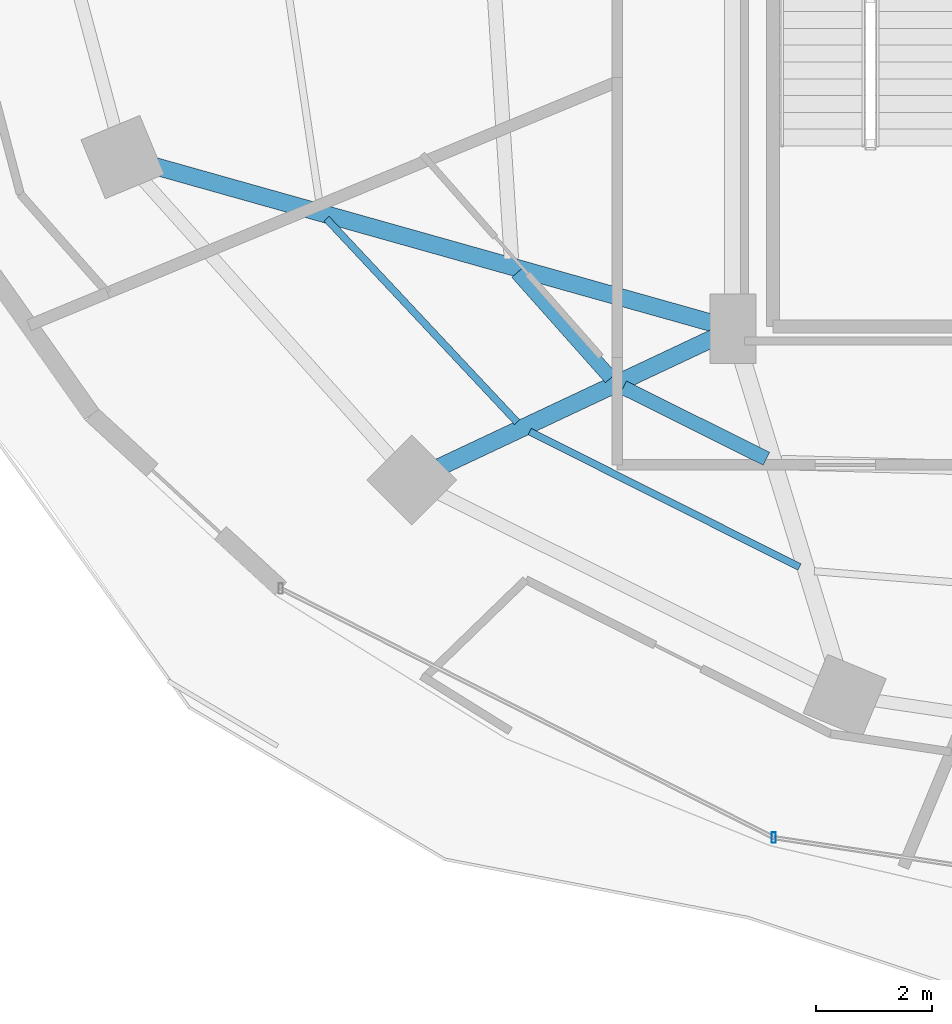
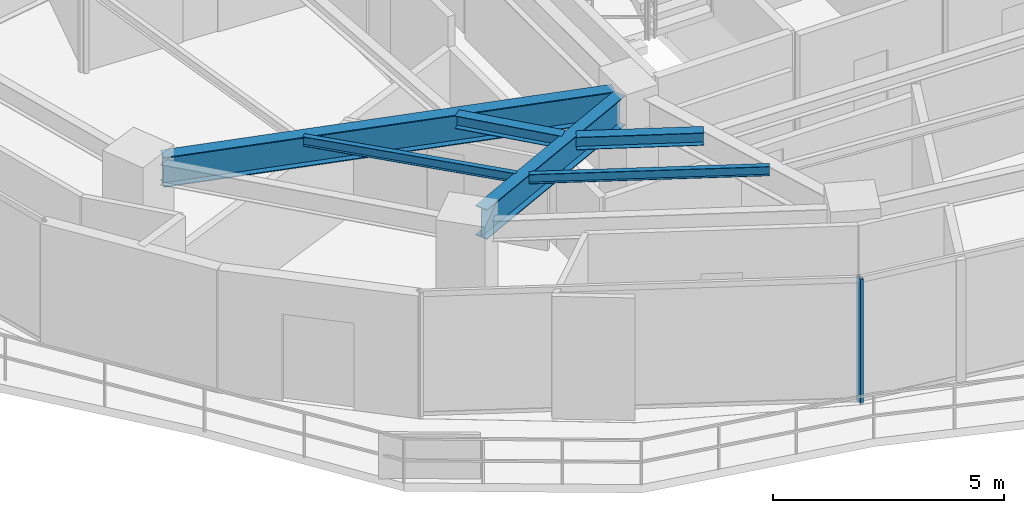
# One storey, part 4 of 31: 6 beams, 1 member, 1 element without a shape of its own.
"""IFC4 building model written with IfcOpenShell, lengths in metres."""

from ifc_helpers import new_model, si_unit, direction, frame, origin, origin_2d, place, context, subcontext, project, spatial, hollow_rectangle, i_section, extrude, material, material_profile, profile_set, type_object, element, aggregate, save


model = new_model("IFC4")

# Units and contexts
model_context = context("Model", 3, precision=1e-05, world=origin(), true_north=direction((0.0, 1.0)))
body_context = subcontext(model_context, "Body", "Model", "MODEL_VIEW")
ifc_project = project(units=[si_unit("LENGTHUNIT", "METRE"), si_unit("AREAUNIT", "SQUARE_METRE"), si_unit("VOLUMEUNIT", "CUBIC_METRE"), si_unit("PLANEANGLEUNIT", "RADIAN"), si_unit("MASSUNIT", "GRAM", prefix="KILO")], contexts=[model_context])

# Site, building, storey
site_placement = place(None, origin())
site = spatial("IfcSite", under=ifc_project, at=site_placement, CompositionType="ELEMENT")
building_placement = place(site_placement, origin())
building = spatial("IfcBuilding", under=site, at=building_placement, Name="Vorneva Point Tower", CompositionType="ELEMENT")
storey_placement = place(building_placement, frame((0.0, 0.0, 99.800048828125)))
storey = spatial("IfcBuildingStorey", under=building, at=storey_placement, Name="L26", CompositionType="ELEMENT", Elevation=99.800048828125)

# Beams
ifc_material_1 = material(Name="Steel S355", Category="steel")
ifc_material_profile_1 = material_profile(ifc_material_1, i_section(OverallWidth=0.300048828125, OverallDepth=0.7880859375, WebThickness=0.014404296875, FlangeThickness=0.02197265625, at=origin_2d()), Name="80Sh1")
ifc_profile_set_1 = profile_set([ifc_material_profile_1], Name="Steel S355")
beam_type_1 = type_object("IfcBeamType", Name="BM-GRD-80Sh1", PredefinedType="USERDEFINED", material=ifc_profile_set_1)
beam_1_placement = place(storey_placement, frame((17.222412109375, 19.272216796875, 2.845947265625), z_axis=(0.962598038366, -0.270933601708, 0.0), x_axis=(0.270933601708, 0.962598038366, 0.0)))
element("IfcBeam", 1, at=beam_1_placement, inside=storey, type_object=beam_type_1, Name="L26 Radial Primary Girder 10", ObjectType="GIRDER", PredefinedType="USERDEFINED", context=body_context, shape_type="SweptSolid", body=[
    extrude(i_section(OverallWidth=0.300048828125, OverallDepth=0.7880859375, WebThickness=0.014404296875, FlangeThickness=0.02197265625, at=origin_2d()), origin(), (0.0, 0.0, 1.0), 10.0771484375),
])
beam_2_placement = place(storey_placement, frame((22.18798828125, 14.06689453125, 2.845947265625), z_axis=(0.904751304927, 0.425940226126, 0.0), x_axis=(-0.425940226126, 0.904751304927, 0.0)))
element("IfcBeam", 2, at=beam_2_placement, inside=storey, type_object=beam_type_1, Name="L26 Radial Primary Girder 11", ObjectType="GIRDER", PredefinedType="USERDEFINED", context=body_context, shape_type="SweptSolid", body=[
    extrude(i_section(OverallWidth=0.300048828125, OverallDepth=0.7880859375, WebThickness=0.014404296875, FlangeThickness=0.02197265625, at=origin_2d()), origin(), (0.0, 0.0, 1.0), 5.2548828125),
])
ifc_material_profile_2 = material_profile(ifc_material_1, i_section(OverallWidth=0.1240234375, OverallDepth=0.248046875, WebThickness=0.0048828125, FlangeThickness=0.008056640625, at=origin_2d()), Name="25B1")
ifc_profile_set_2 = profile_set([ifc_material_profile_2], Name="Steel S355")
beam_type_2 = type_object("IfcBeamType", Name="BM-JST-25B1", PredefinedType="JOIST", material=ifc_profile_set_2)
beam_3_placement = place(storey_placement, frame((20.226806640625, 18.352294921875, 3.115966796875), z_axis=(0.683897278678, -0.72957831123, 0.0), x_axis=(0.72957831123, 0.683897278678, 0.0)))
element("IfcBeam", 3, at=beam_3_placement, inside=storey, type_object=beam_type_2, Name="L26 Secondary Floor Beam 1.10", PredefinedType="JOIST", context=body_context, shape_type="SweptSolid", body=[
    extrude(i_section(OverallWidth=0.1240234375, OverallDepth=0.248046875, WebThickness=0.0048828125, FlangeThickness=0.008056640625, at=origin_2d()), origin(), (0.0, 0.0, 1.0), 4.8154296875),
])
beam_4_placement = place(storey_placement, frame((23.737548828125, 14.676513671875, 3.115966796875), z_axis=(0.893620424301, -0.448823503476, 0.0), x_axis=(0.448823503476, 0.893620424301, 0.0)))
element("IfcBeam", 4, at=beam_4_placement, inside=storey, type_object=beam_type_2, Name="L26 Secondary Floor Beam 1.11", PredefinedType="JOIST", context=body_context, shape_type="SweptSolid", body=[
    extrude(i_section(OverallWidth=0.1240234375, OverallDepth=0.248046875, WebThickness=0.0048828125, FlangeThickness=0.008056640625, at=origin_2d()), origin(), (0.0, 0.0, 1.0), 5.21435546875),
])
ifc_material_profile_3 = material_profile(ifc_material_1, i_section(OverallWidth=0.2490234375, OverallDepth=0.333984375, WebThickness=0.008056640625, FlangeThickness=0.010986328125, at=origin_2d()), Name="35Sh1")
ifc_profile_set_3 = profile_set([ifc_material_profile_3], Name="Steel S355")
beam_type_3 = type_object("IfcBeamType", Name="BM-SEC-35Sh1", PredefinedType="BEAM", material=ifc_profile_set_3)
beam_5_placement = place(storey_placement, frame((23.522216796875, 17.421875, 3.072998046875), z_axis=(0.664307805545, -0.747459122289, 0.0), x_axis=(0.747459122289, 0.664307805545, 0.0)))
element("IfcBeam", 5, at=beam_5_placement, inside=storey, type_object=beam_type_3, Name="L26 Secondary Floor Beam 2.10", PredefinedType="BEAM", context=body_context, shape_type="SweptSolid", body=[
    extrude(i_section(OverallWidth=0.2490234375, OverallDepth=0.333984375, WebThickness=0.008056640625, FlangeThickness=0.010986328125, at=origin_2d()), origin(), (0.0, 0.0, 1.0), 2.43408203125),
])
beam_6_placement = place(storey_placement, frame((25.354248046875, 15.43798828125, 3.072998046875), z_axis=(0.895132850835, -0.445799483351, 0.0), x_axis=(0.445799483351, 0.895132850835, 0.0)))
element("IfcBeam", 6, at=beam_6_placement, inside=storey, type_object=beam_type_3, Name="L26 Secondary Floor Beam 2.11", PredefinedType="BEAM", context=body_context, shape_type="SweptSolid", body=[
    extrude(i_section(OverallWidth=0.2490234375, OverallDepth=0.333984375, WebThickness=0.008056640625, FlangeThickness=0.010986328125, at=origin_2d()), origin(), (0.0, 0.0, 1.0), 2.763427734375),
])

# Curtain wall, member
ifc_material_2 = material(Name="Pale anodised aluminium", Category="aluminium")
curtain_wall_type = type_object("IfcCurtainWallType", Name="CW-HTL-SYS", PredefinedType="NOTDEFINED", material=ifc_material_2)
curtain_wall_placement = place(storey_placement, origin())
curtain_wall = element("IfcCurtainWall", 7, at=curtain_wall_placement, inside=storey, type_object=curtain_wall_type, Name="L26 Unitised Curtain Wall CW-L26-R04", PredefinedType="NOTDEFINED")
ifc_material_profile_4 = material_profile(ifc_material_2, hollow_rectangle(XDim=0.074951171875, YDim=0.179931640625, WallThickness=0.00390625, at=origin_2d()), Name="AL-MUL 180x75x4")
ifc_profile_set_4 = profile_set([ifc_material_profile_4], Name="Pale anodised aluminium")
member_type = type_object("IfcMemberType", Name="CW-MUL-180", PredefinedType="MULLION", material=ifc_profile_set_4)
member_placement = place(storey_placement, frame((27.95458984375, 7.660888671875, -0.0400390625), z_axis=(0.0, 0.0, 1.0), x_axis=(1.0, 0.0, 0.0)))
member = element("IfcMember", 8, at=member_placement, type_object=member_type, Name="CW-L26-R04 Mullion 02", PredefinedType="MULLION", context=body_context, shape_type="SweptSolid", body=[
    extrude(hollow_rectangle(XDim=0.074951171875, YDim=0.179931640625, WallThickness=0.00390625, at=origin_2d()), origin(), (0.0, 0.0, 1.0), 3.31005859375),
])
aggregate(curtain_wall, [member])

save(model, "model.ifc")
